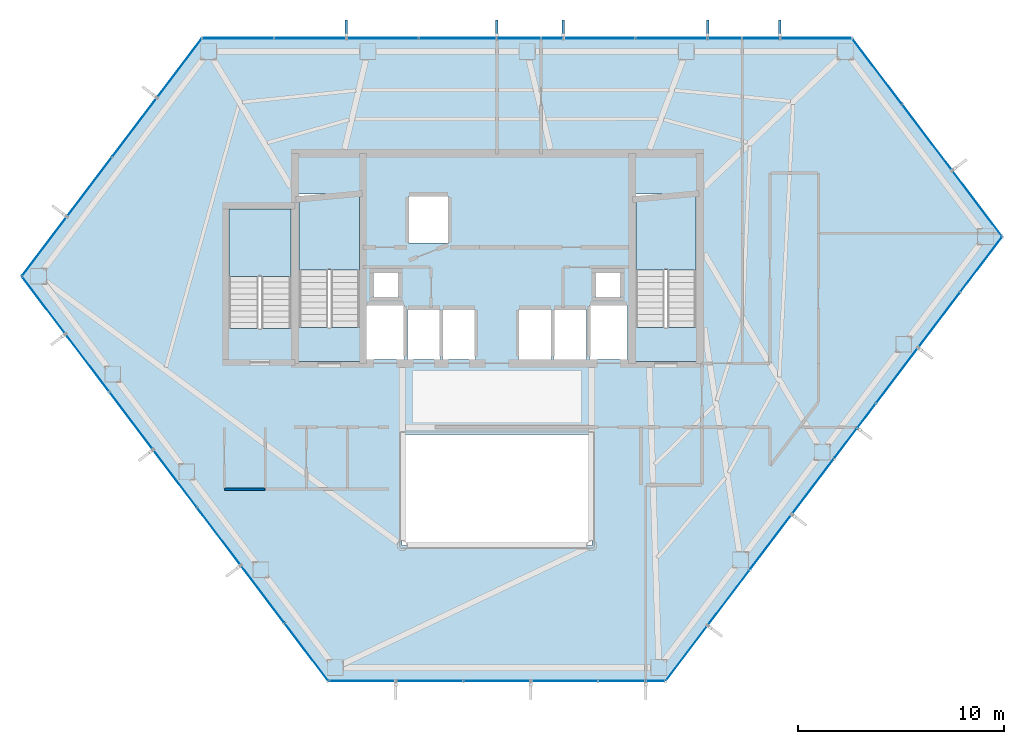
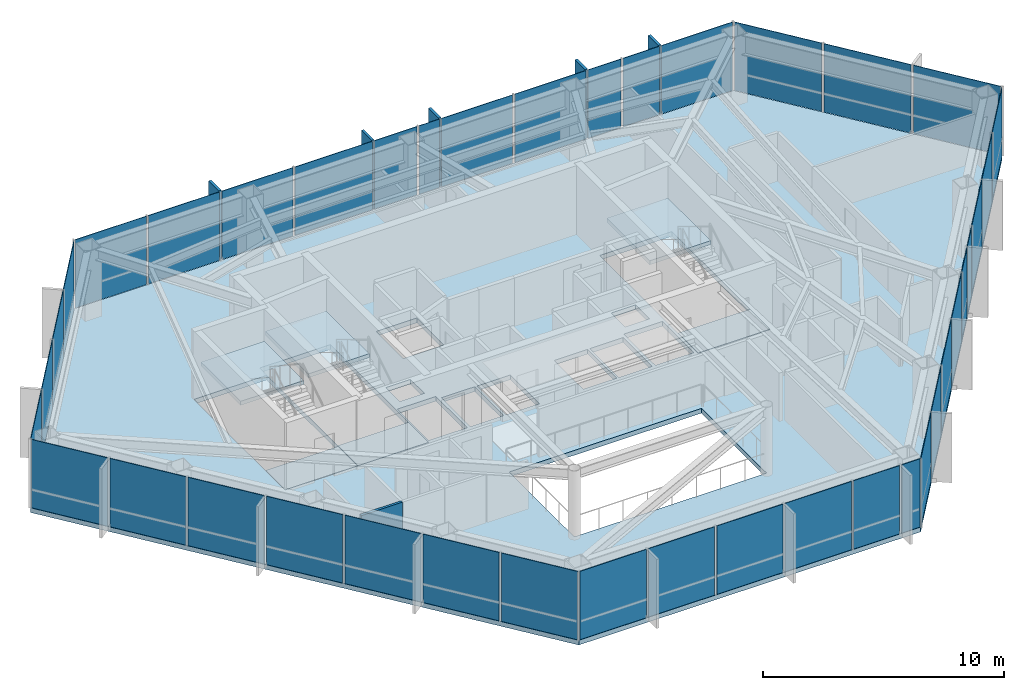
# One storey, part 24 of 28: 40 plates, 7 slabs, 5 members, 1 wall, 9 elements without a shape of their own.
"""IFC4 building model written with IfcOpenShell, lengths in metres."""

from ifc_helpers import new_model, si_unit, direction, frame, frame_2d, origin, origin_2d, place, context, subcontext, project, spatial, polyline, rectangle, outline, extrude, material, layer, layer_set, material_profile, profile_set, type_object, element, aggregate, save


model = new_model("IFC4")

# Units and contexts
model_context = context("Model", 3, precision=1e-05, world=origin(), true_north=direction((0.0, 1.0)))
body_context = subcontext(model_context, "Body", "Model", "MODEL_VIEW")
ifc_project = project(units=[si_unit("LENGTHUNIT", "METRE"), si_unit("AREAUNIT", "SQUARE_METRE"), si_unit("VOLUMEUNIT", "CUBIC_METRE"), si_unit("PLANEANGLEUNIT", "RADIAN"), si_unit("MASSUNIT", "GRAM", prefix="KILO")], contexts=[model_context])

# Site, building, storey
site_placement = place(None, origin())
site = spatial("IfcSite", under=ifc_project, at=site_placement, CompositionType="ELEMENT")
building_placement = place(site_placement, origin())
building = spatial("IfcBuilding", under=site, at=building_placement, Name="Zarrinselat Tower", CompositionType="ELEMENT")
storey_placement = place(building_placement, frame((0.0, 0.0, 149.60009765625)))
storey = spatial("IfcBuildingStorey", under=building, at=storey_placement, Name="L36", CompositionType="ELEMENT", Elevation=149.60009765625)

# Curtain wall, members, plates
ifc_material_1 = material(Name="Extruded Aluminium Alloy EN AW-6063 T6", Category="aluminium")
ifc_layer_1 = layer(ifc_material_1, 0.175048828125)
ifc_layer_set_1 = layer_set([ifc_layer_1], Name="Extruded Aluminium Alloy EN AW-6063 T6")
curtain_wall_type = type_object("IfcCurtainWallType", Name="CWS-HTL", PredefinedType="NOTDEFINED", material=ifc_layer_set_1)
curtain_wall_1_placement = place(storey_placement, origin())
curtain_wall_1 = element("IfcCurtainWall", 1, at=curtain_wall_1_placement, inside=storey, type_object=curtain_wall_type, Name="L36 Unitised Curtain Wall CW-L36-E01", PredefinedType="NOTDEFINED")
ifc_material_2 = material(Name="Honed Cream Travertine Stone", Category="masonry")
ifc_material_profile = material_profile(ifc_material_2, rectangle(XDim=0.1201171875, YDim=0.85009765625, at=origin_2d()), Name="FIN 850x120")
ifc_profile_set = profile_set([ifc_material_profile], Name="Honed Cream Travertine Stone")
member_type = type_object("IfcMemberType", Name="MEM-STONE-FIN", PredefinedType="USERDEFINED", material=ifc_profile_set)
member_1_placement = place(storey_placement, frame((52.126953125, 49.493408203125, 0.0), z_axis=(0.0, 0.0, 1.0), x_axis=(1.0, 0.0, 0.0)))
member_1 = element("IfcMember", 2, at=member_1_placement, type_object=member_type, Name="L36 Stone Shading Fin CW-L36-E01-01", ObjectType="FIN", PredefinedType="USERDEFINED", context=body_context, shape_type="SweptSolid", body=[
    extrude(rectangle(XDim=0.1201171875, YDim=0.85009765625, at=origin_2d()), origin(), (0.0, 0.0, 1.0), 3.5),
])
member_2_placement = place(storey_placement, frame((48.621337890625, 49.493408203125, 0.0), z_axis=(0.0, 0.0, 1.0), x_axis=(1.0, 0.0, 0.0)))
member_2 = element("IfcMember", 3, at=member_2_placement, type_object=member_type, Name="L36 Stone Shading Fin CW-L36-E01-03", ObjectType="FIN", PredefinedType="USERDEFINED", context=body_context, shape_type="SweptSolid", body=[
    extrude(rectangle(XDim=0.1201171875, YDim=0.85009765625, at=origin_2d()), origin(), (0.0, 0.0, 1.0), 3.5),
])
member_3_placement = place(storey_placement, frame((41.610107421875, 49.493408203125, 0.0), z_axis=(0.0, 0.0, 1.0), x_axis=(1.0, 0.0, 0.0)))
member_3 = element("IfcMember", 4, at=member_3_placement, type_object=member_type, Name="L36 Stone Shading Fin CW-L36-E01-05", ObjectType="FIN", PredefinedType="USERDEFINED", context=body_context, shape_type="SweptSolid", body=[
    extrude(rectangle(XDim=0.1201171875, YDim=0.85009765625, at=origin_2d()), origin(), (0.0, 0.0, 1.0), 3.5),
])
member_4_placement = place(storey_placement, frame((38.39990234375, 49.493408203125, 0.0), z_axis=(0.0, 0.0, 1.0), x_axis=(1.0, 0.0, 0.0)))
member_4 = element("IfcMember", 5, at=member_4_placement, type_object=member_type, Name="L36 Stone Shading Fin CW-L36-E01-07", ObjectType="FIN", PredefinedType="USERDEFINED", context=body_context, shape_type="SweptSolid", body=[
    extrude(rectangle(XDim=0.1201171875, YDim=0.85009765625, at=origin_2d()), origin(), (0.0, 0.0, 1.0), 3.5),
])
member_5_placement = place(storey_placement, frame((31.093017578125, 49.493408203125, 0.0), z_axis=(0.0, 0.0, 1.0), x_axis=(1.0, 0.0, 0.0)))
member_5 = element("IfcMember", 6, at=member_5_placement, type_object=member_type, Name="L36 Stone Shading Fin CW-L36-E01-09", ObjectType="FIN", PredefinedType="USERDEFINED", context=body_context, shape_type="SweptSolid", body=[
    extrude(rectangle(XDim=0.1201171875, YDim=0.85009765625, at=origin_2d()), origin(), (0.0, 0.0, 1.0), 3.5),
])
ifc_material_3 = material(Name="Double Low-E Laminated Solar Glass", Category="glass")
ifc_layer_2 = layer(ifc_material_3, 0.028076171875)
ifc_layer_set_2 = layer_set([ifc_layer_2], Name="Double Low-E Laminated Solar Glass")
plate_type = type_object("IfcPlateType", Name="PLT-CW-GL28", PredefinedType="CURTAIN_PANEL", material=ifc_layer_set_2)
plate_1_placement = place(storey_placement, frame((53.8798828125, 49.033203125, 0.02001953125), z_axis=(0.0, 0.0, 1.0), x_axis=(-1.0, 0.0, 0.0)))
plate_1 = element("IfcPlate", 7, at=plate_1_placement, type_object=plate_type, Name="CW-L36-E01 Vision Glass Panel 1", PredefinedType="CURTAIN_PANEL", context=body_context, shape_type="SweptSolid", body=[
    extrude(rectangle(XDim=3.40576171875, YDim=0.028076171875, at=origin_2d()), origin(), (0.0, 0.0, 1.0), 3.4599609375),
])
plate_2_placement = place(storey_placement, frame((51.21337890625, 49.033203125, 0.02001953125), z_axis=(0.0, 0.0, 1.0), x_axis=(-1.0, 0.0, 0.0)))
plate_2 = element("IfcPlate", 8, at=plate_2_placement, type_object=plate_type, Name="CW-L36-E01 Vision Glass Panel 2", PredefinedType="CURTAIN_PANEL", context=body_context, shape_type="SweptSolid", body=[
    extrude(rectangle(XDim=1.72705078125, YDim=0.028076171875, at=origin_2d()), origin(), (0.0, 0.0, 1.0), 3.4599609375),
])
plate_3_placement = place(storey_placement, frame((49.460693359375, 49.033203125, 0.02001953125), z_axis=(0.0, 0.0, 1.0), x_axis=(-1.0, 0.0, 0.0)))
plate_3 = element("IfcPlate", 9, at=plate_3_placement, type_object=plate_type, Name="CW-L36-E01 Vision Glass Panel 3", PredefinedType="CURTAIN_PANEL", context=body_context, shape_type="SweptSolid", body=[
    extrude(rectangle(XDim=1.57861328125, YDim=0.028076171875, at=origin_2d()), origin(), (0.0, 0.0, 1.0), 3.4599609375),
])
plate_4_placement = place(storey_placement, frame((46.86865234375, 49.033203125, 0.02001953125), z_axis=(0.0, 0.0, 1.0), x_axis=(-1.0, 0.0, 0.0)))
plate_4 = element("IfcPlate", 10, at=plate_4_placement, type_object=plate_type, Name="CW-L36-E01 Vision Glass Panel 4", PredefinedType="CURTAIN_PANEL", context=body_context, shape_type="SweptSolid", body=[
    extrude(rectangle(XDim=3.40576171875, YDim=0.028076171875, at=origin_2d()), origin(), (0.0, 0.0, 1.0), 3.4599609375),
])
plate_5_placement = place(storey_placement, frame((43.36279296875, 49.033203125, 0.02001953125), z_axis=(0.0, 0.0, 1.0), x_axis=(-1.0, 0.0, 0.0)))
plate_5 = element("IfcPlate", 11, at=plate_5_placement, type_object=plate_type, Name="CW-L36-E01 Vision Glass Panel 5", PredefinedType="CURTAIN_PANEL", context=body_context, shape_type="SweptSolid", body=[
    extrude(rectangle(XDim=3.40576171875, YDim=0.028076171875, at=origin_2d()), origin(), (0.0, 0.0, 1.0), 3.4599609375),
])
plate_6_placement = place(storey_placement, frame((41.075927734375, 49.033203125, 0.02001953125), z_axis=(0.0, 0.0, 1.0), x_axis=(-1.0, 0.0, 0.0)))
plate_6 = element("IfcPlate", 12, at=plate_6_placement, type_object=plate_type, Name="CW-L36-E01 Vision Glass Panel 6", PredefinedType="CURTAIN_PANEL", context=body_context, shape_type="SweptSolid", body=[
    extrude(rectangle(XDim=0.968017578125, YDim=0.028076171875, at=origin_2d()), origin(), (0.0, 0.0, 1.0), 3.4599609375),
])
plate_7_placement = place(storey_placement, frame((39.470947265625, 49.033203125, 0.02001953125), z_axis=(0.0, 0.0, 1.0), x_axis=(-1.0, 0.0, 0.0)))
plate_7 = element("IfcPlate", 13, at=plate_7_placement, type_object=plate_type, Name="CW-L36-E01 Vision Glass Panel 7", PredefinedType="CURTAIN_PANEL", context=body_context, shape_type="SweptSolid", body=[
    extrude(rectangle(XDim=2.0419921875, YDim=0.028076171875, at=origin_2d()), origin(), (0.0, 0.0, 1.0), 3.4599609375),
])
plate_8_placement = place(storey_placement, frame((36.49951171875, 49.033203125, 0.02001953125), z_axis=(0.0, 0.0, 1.0), x_axis=(-1.0, 0.0, 0.0)))
plate_8 = element("IfcPlate", 14, at=plate_8_placement, type_object=plate_type, Name="CW-L36-E01 Vision Glass Panel 8", PredefinedType="CURTAIN_PANEL", context=body_context, shape_type="SweptSolid", body=[
    extrude(rectangle(XDim=3.701171875, YDim=0.028076171875, at=origin_2d()), origin(), (0.0, 0.0, 1.0), 3.4599609375),
])
plate_9_placement = place(storey_placement, frame((32.845947265625, 49.033203125, 0.02001953125), z_axis=(0.0, 0.0, 1.0), x_axis=(-1.0, 0.0, 0.0)))
plate_9 = element("IfcPlate", 15, at=plate_9_placement, type_object=plate_type, Name="CW-L36-E01 Vision Glass Panel 9", PredefinedType="CURTAIN_PANEL", context=body_context, shape_type="SweptSolid", body=[
    extrude(rectangle(XDim=3.40576171875, YDim=0.028076171875, at=origin_2d()), origin(), (0.0, 0.0, 1.0), 3.4599609375),
])
plate_10_placement = place(storey_placement, frame((29.34033203125, 49.033203125, 0.02001953125), z_axis=(0.0, 0.0, 1.0), x_axis=(-1.0, 0.0, 0.0)))
plate_10 = element("IfcPlate", 16, at=plate_10_placement, type_object=plate_type, Name="CW-L36-E01 Vision Glass Panel 10", PredefinedType="CURTAIN_PANEL", context=body_context, shape_type="SweptSolid", body=[
    extrude(rectangle(XDim=3.40576171875, YDim=0.028076171875, at=origin_2d()), origin(), (0.0, 0.0, 1.0), 3.4599609375),
])
plate_11_placement = place(storey_placement, frame((25.834716796875, 49.033203125, 0.02001953125), z_axis=(0.0, 0.0, 1.0), x_axis=(-1.0, 0.0, 0.0)))
plate_11 = element("IfcPlate", 17, at=plate_11_placement, type_object=plate_type, Name="CW-L36-E01 Vision Glass Panel 11", PredefinedType="CURTAIN_PANEL", context=body_context, shape_type="SweptSolid", body=[
    extrude(rectangle(XDim=3.40576171875, YDim=0.028076171875, at=origin_2d()), origin(), (0.0, 0.0, 1.0), 3.4599609375),
])
aggregate(curtain_wall_1, [member_1, member_2, member_3, member_4, member_5, plate_1, plate_2, plate_3, plate_4, plate_5, plate_6, plate_7, plate_8, plate_9, plate_10, plate_11])

# Curtain wall, plates
curtain_wall_2_placement = place(storey_placement, origin())
curtain_wall_2 = element("IfcCurtainWall", 18, at=curtain_wall_2_placement, inside=storey, type_object=curtain_wall_type, Name="L36 Unitised Curtain Wall CW-L36-E02", PredefinedType="NOTDEFINED")
plate_12_placement = place(storey_placement, frame((22.988037109375, 47.589599609375, 0.02001953125), z_axis=(0.0, 0.0, 1.0), x_axis=(-0.603857687995, -0.797092148154, 0.0)))
plate_12 = element("IfcPlate", 19, at=plate_12_placement, type_object=plate_type, Name="CW-L36-E02 Vision Glass Panel 1", PredefinedType="CURTAIN_PANEL", context=body_context, shape_type="SweptSolid", body=[
    extrude(rectangle(XDim=3.5224609375, YDim=0.028076171875, at=origin_2d()), origin(), (0.0, 0.0, 1.0), 3.4599609375),
])
plate_13_placement = place(storey_placement, frame((20.800537109375, 44.701904296875, 0.02001953125), z_axis=(0.0, 0.0, 1.0), x_axis=(-0.603857687995, -0.797092148154, 0.0)))
plate_13 = element("IfcPlate", 20, at=plate_13_placement, type_object=plate_type, Name="CW-L36-E02 Vision Glass Panel 2", PredefinedType="CURTAIN_PANEL", context=body_context, shape_type="SweptSolid", body=[
    extrude(rectangle(XDim=3.5224609375, YDim=0.028076171875, at=origin_2d()), origin(), (0.0, 0.0, 1.0), 3.4599609375),
])
plate_14_placement = place(storey_placement, frame((18.613037109375, 41.814453125, 0.02001953125), z_axis=(0.0, 0.0, 1.0), x_axis=(-0.603857687995, -0.797092148154, 0.0)))
plate_14 = element("IfcPlate", 21, at=plate_14_placement, type_object=plate_type, Name="CW-L36-E02 Vision Glass Panel 3", PredefinedType="CURTAIN_PANEL", context=body_context, shape_type="SweptSolid", body=[
    extrude(rectangle(XDim=3.5224609375, YDim=0.028076171875, at=origin_2d()), origin(), (0.0, 0.0, 1.0), 3.4599609375),
])
plate_15_placement = place(storey_placement, frame((16.425537109375, 38.927001953125, 0.02001953125), z_axis=(0.0, 0.0, 1.0), x_axis=(-0.603857687995, -0.797092148154, 0.0)))
plate_15 = element("IfcPlate", 22, at=plate_15_placement, type_object=plate_type, Name="CW-L36-E02 Vision Glass Panel 4", PredefinedType="CURTAIN_PANEL", context=body_context, shape_type="SweptSolid", body=[
    extrude(rectangle(XDim=3.5224609375, YDim=0.028076171875, at=origin_2d()), origin(), (0.0, 0.0, 1.0), 3.4599609375),
])
aggregate(curtain_wall_2, [plate_12, plate_13, plate_14, plate_15])

curtain_wall_3_placement = place(storey_placement, origin())
curtain_wall_3 = element("IfcCurtainWall", 23, at=curtain_wall_3_placement, inside=storey, type_object=curtain_wall_type, Name="L36 Unitised Curtain Wall CW-L36-E03", PredefinedType="NOTDEFINED")
plate_16_placement = place(storey_placement, frame((16.395263671875, 36.07958984375, 0.02001953125), z_axis=(0.0, 0.0, 1.0), x_axis=(0.603856985167, -0.7970926806, 0.0)))
plate_16 = element("IfcPlate", 24, at=plate_16_placement, type_object=plate_type, Name="CW-L36-E03 Vision Glass Panel 1", PredefinedType="CURTAIN_PANEL", context=body_context, shape_type="SweptSolid", body=[
    extrude(rectangle(XDim=3.422119140625, YDim=0.028076171875, at=origin_2d()), origin(), (0.0, 0.0, 1.0), 3.4599609375),
])
plate_17_placement = place(storey_placement, frame((18.52197265625, 33.272216796875, 0.02001953125), z_axis=(0.0, 0.0, 1.0), x_axis=(0.603856985167, -0.7970926806, 0.0)))
plate_17 = element("IfcPlate", 25, at=plate_17_placement, type_object=plate_type, Name="CW-L36-E03 Vision Glass Panel 2", PredefinedType="CURTAIN_PANEL", context=body_context, shape_type="SweptSolid", body=[
    extrude(rectangle(XDim=3.422119140625, YDim=0.028076171875, at=origin_2d()), origin(), (0.0, 0.0, 1.0), 3.4599609375),
])
plate_18_placement = place(storey_placement, frame((20.648681640625, 30.46484375, 0.02001953125), z_axis=(0.0, 0.0, 1.0), x_axis=(0.603856985167, -0.7970926806, 0.0)))
plate_18 = element("IfcPlate", 26, at=plate_18_placement, type_object=plate_type, Name="CW-L36-E03 Vision Glass Panel 3", PredefinedType="CURTAIN_PANEL", context=body_context, shape_type="SweptSolid", body=[
    extrude(rectangle(XDim=3.422119140625, YDim=0.028076171875, at=origin_2d()), origin(), (0.0, 0.0, 1.0), 3.4599609375),
])
plate_19_placement = place(storey_placement, frame((22.775634765625, 27.657470703125, 0.02001953125), z_axis=(0.0, 0.0, 1.0), x_axis=(0.603856985167, -0.7970926806, 0.0)))
plate_19 = element("IfcPlate", 27, at=plate_19_placement, type_object=plate_type, Name="CW-L36-E03 Vision Glass Panel 4", PredefinedType="CURTAIN_PANEL", context=body_context, shape_type="SweptSolid", body=[
    extrude(rectangle(XDim=3.422119140625, YDim=0.028076171875, at=origin_2d()), origin(), (0.0, 0.0, 1.0), 3.4599609375),
])
plate_20_placement = place(storey_placement, frame((24.902587890625, 24.85009765625, 0.02001953125), z_axis=(0.0, 0.0, 1.0), x_axis=(0.603856985167, -0.7970926806, 0.0)))
plate_20 = element("IfcPlate", 28, at=plate_20_placement, type_object=plate_type, Name="CW-L36-E03 Vision Glass Panel 5", PredefinedType="CURTAIN_PANEL", context=body_context, shape_type="SweptSolid", body=[
    extrude(rectangle(XDim=3.422119140625, YDim=0.028076171875, at=origin_2d()), origin(), (0.0, 0.0, 1.0), 3.4599609375),
])
plate_21_placement = place(storey_placement, frame((27.029296875, 22.04248046875, 0.02001953125), z_axis=(0.0, 0.0, 1.0), x_axis=(0.603856985167, -0.7970926806, 0.0)))
plate_21 = element("IfcPlate", 29, at=plate_21_placement, type_object=plate_type, Name="CW-L36-E03 Vision Glass Panel 6", PredefinedType="CURTAIN_PANEL", context=body_context, shape_type="SweptSolid", body=[
    extrude(rectangle(XDim=3.422119140625, YDim=0.028076171875, at=origin_2d()), origin(), (0.0, 0.0, 1.0), 3.4599609375),
])
plate_22_placement = place(storey_placement, frame((29.156005859375, 19.235107421875, 0.02001953125), z_axis=(0.0, 0.0, 1.0), x_axis=(0.603856985167, -0.7970926806, 0.0)))
plate_22 = element("IfcPlate", 30, at=plate_22_placement, type_object=plate_type, Name="CW-L36-E03 Vision Glass Panel 7", PredefinedType="CURTAIN_PANEL", context=body_context, shape_type="SweptSolid", body=[
    extrude(rectangle(XDim=3.422119140625, YDim=0.028076171875, at=origin_2d()), origin(), (0.0, 0.0, 1.0), 3.4599609375),
])
aggregate(curtain_wall_3, [plate_16, plate_17, plate_18, plate_19, plate_20, plate_21, plate_22])

curtain_wall_4_placement = place(storey_placement, origin())
curtain_wall_4 = element("IfcCurtainWall", 31, at=curtain_wall_4_placement, inside=storey, type_object=curtain_wall_type, Name="L36 Unitised Curtain Wall CW-L36-E04", PredefinedType="NOTDEFINED")
plate_23_placement = place(storey_placement, frame((31.855712890625, 17.83154296875, 0.02001953125), z_axis=(0.0, 0.0, 1.0), x_axis=(1.0, 0.0, 0.0)))
plate_23 = element("IfcPlate", 32, at=plate_23_placement, type_object=plate_type, Name="CW-L36-E04 Vision Glass Panel 1", PredefinedType="CURTAIN_PANEL", context=body_context, shape_type="SweptSolid", body=[
    extrude(rectangle(XDim=3.172119140625, YDim=0.028076171875, at=origin_2d()), origin(), (0.0, 0.0, 1.0), 3.4599609375),
])
plate_24_placement = place(storey_placement, frame((35.127685546875, 17.83154296875, 0.02001953125), z_axis=(0.0, 0.0, 1.0), x_axis=(1.0, 0.0, 0.0)))
plate_24 = element("IfcPlate", 33, at=plate_24_placement, type_object=plate_type, Name="CW-L36-E04 Vision Glass Panel 2", PredefinedType="CURTAIN_PANEL", context=body_context, shape_type="SweptSolid", body=[
    extrude(rectangle(XDim=3.172119140625, YDim=0.028076171875, at=origin_2d()), origin(), (0.0, 0.0, 1.0), 3.4599609375),
])
plate_25_placement = place(storey_placement, frame((38.39990234375, 17.83154296875, 0.02001953125), z_axis=(0.0, 0.0, 1.0), x_axis=(1.0, 0.0, 0.0)))
plate_25 = element("IfcPlate", 34, at=plate_25_placement, type_object=plate_type, Name="CW-L36-E04 Vision Glass Panel 3", PredefinedType="CURTAIN_PANEL", context=body_context, shape_type="SweptSolid", body=[
    extrude(rectangle(XDim=3.172119140625, YDim=0.028076171875, at=origin_2d()), origin(), (0.0, 0.0, 1.0), 3.4599609375),
])
plate_26_placement = place(storey_placement, frame((41.672119140625, 17.83154296875, 0.02001953125), z_axis=(0.0, 0.0, 1.0), x_axis=(1.0, 0.0, 0.0)))
plate_26 = element("IfcPlate", 35, at=plate_26_placement, type_object=plate_type, Name="CW-L36-E04 Vision Glass Panel 4", PredefinedType="CURTAIN_PANEL", context=body_context, shape_type="SweptSolid", body=[
    extrude(rectangle(XDim=3.172119140625, YDim=0.028076171875, at=origin_2d()), origin(), (0.0, 0.0, 1.0), 3.4599609375),
])
plate_27_placement = place(storey_placement, frame((44.46337890625, 17.83154296875, 0.02001953125), z_axis=(0.0, 0.0, 1.0), x_axis=(1.0, 0.0, 0.0)))
plate_27 = element("IfcPlate", 36, at=plate_27_placement, type_object=plate_type, Name="CW-L36-E04 Vision Glass Panel 5", PredefinedType="CURTAIN_PANEL", context=body_context, shape_type="SweptSolid", body=[
    extrude(rectangle(XDim=2.21044921875, YDim=0.028076171875, at=origin_2d()), origin(), (0.0, 0.0, 1.0), 3.4599609375),
])
plate_28_placement = place(storey_placement, frame((46.099609375, 17.83154296875, 0.02001953125), z_axis=(0.0, 0.0, 1.0), x_axis=(1.0, 0.0, 0.0)))
plate_28 = element("IfcPlate", 37, at=plate_28_placement, type_object=plate_type, Name="CW-L36-E04 Vision Glass Panel 6", PredefinedType="CURTAIN_PANEL", context=body_context, shape_type="SweptSolid", body=[
    extrude(rectangle(XDim=0.86181640625, YDim=0.028076171875, at=origin_2d()), origin(), (0.0, 0.0, 1.0), 3.4599609375),
])
aggregate(curtain_wall_4, [plate_23, plate_24, plate_25, plate_26, plate_27, plate_28])

curtain_wall_5_placement = place(storey_placement, origin())
curtain_wall_5 = element("IfcCurtainWall", 38, at=curtain_wall_5_placement, inside=storey, type_object=curtain_wall_type, Name="L36 Unitised Curtain Wall CW-L36-E05", PredefinedType="NOTDEFINED")
plate_29_placement = place(storey_placement, frame((47.60205078125, 19.179931640625, 0.02001953125), z_axis=(0.0, 0.0, 1.0), x_axis=(0.603857687995, 0.797092148154, 0.0)))
plate_29 = element("IfcPlate", 39, at=plate_29_placement, type_object=plate_type, Name="CW-L36-E05 Vision Glass Panel 1", PredefinedType="CURTAIN_PANEL", context=body_context, shape_type="SweptSolid", body=[
    extrude(rectangle(XDim=3.283447265625, YDim=0.028076171875, at=origin_2d()), origin(), (0.0, 0.0, 1.0), 3.4599609375),
])
plate_30_placement = place(storey_placement, frame((49.645263671875, 21.876953125, 0.02001953125), z_axis=(0.0, 0.0, 1.0), x_axis=(0.603857687995, 0.797092148154, 0.0)))
plate_30 = element("IfcPlate", 40, at=plate_30_placement, type_object=plate_type, Name="CW-L36-E05 Vision Glass Panel 2", PredefinedType="CURTAIN_PANEL", context=body_context, shape_type="SweptSolid", body=[
    extrude(rectangle(XDim=3.283447265625, YDim=0.028076171875, at=origin_2d()), origin(), (0.0, 0.0, 1.0), 3.4599609375),
])
plate_31_placement = place(storey_placement, frame((51.688232421875, 24.57373046875, 0.02001953125), z_axis=(0.0, 0.0, 1.0), x_axis=(0.603857687995, 0.797092148154, 0.0)))
plate_31 = element("IfcPlate", 41, at=plate_31_placement, type_object=plate_type, Name="CW-L36-E05 Vision Glass Panel 3", PredefinedType="CURTAIN_PANEL", context=body_context, shape_type="SweptSolid", body=[
    extrude(rectangle(XDim=3.283447265625, YDim=0.028076171875, at=origin_2d()), origin(), (0.0, 0.0, 1.0), 3.4599609375),
])
plate_32_placement = place(storey_placement, frame((53.7314453125, 27.270751953125, 0.02001953125), z_axis=(0.0, 0.0, 1.0), x_axis=(0.603857687995, 0.797092148154, 0.0)))
plate_32 = element("IfcPlate", 42, at=plate_32_placement, type_object=plate_type, Name="CW-L36-E05 Vision Glass Panel 4", PredefinedType="CURTAIN_PANEL", context=body_context, shape_type="SweptSolid", body=[
    extrude(rectangle(XDim=3.283447265625, YDim=0.028076171875, at=origin_2d()), origin(), (0.0, 0.0, 1.0), 3.4599609375),
])
plate_33_placement = place(storey_placement, frame((55.319091796875, 29.366455078125, 0.02001953125), z_axis=(0.0, 0.0, 1.0), x_axis=(0.603857687995, 0.797092148154, 0.0)))
plate_33 = element("IfcPlate", 43, at=plate_33_placement, type_object=plate_type, Name="CW-L36-E05 Vision Glass Panel 5", PredefinedType="CURTAIN_PANEL", context=body_context, shape_type="SweptSolid", body=[
    extrude(rectangle(XDim=1.77490234375, YDim=0.028076171875, at=origin_2d()), origin(), (0.0, 0.0, 1.0), 3.4599609375),
])
plate_34_placement = place(storey_placement, frame((56.3408203125, 30.71484375, 0.02001953125), z_axis=(0.0, 0.0, 1.0), x_axis=(0.603857687995, 0.797092148154, 0.0)))
plate_34 = element("IfcPlate", 44, at=plate_34_placement, type_object=plate_type, Name="CW-L36-E05 Vision Glass Panel 6", PredefinedType="CURTAIN_PANEL", context=body_context, shape_type="SweptSolid", body=[
    extrude(rectangle(XDim=1.408447265625, YDim=0.028076171875, at=origin_2d()), origin(), (0.0, 0.0, 1.0), 3.4599609375),
])
plate_35_placement = place(storey_placement, frame((57.817626953125, 32.66455078125, 0.02001953125), z_axis=(0.0, 0.0, 1.0), x_axis=(0.603857687995, 0.797092148154, 0.0)))
plate_35 = element("IfcPlate", 45, at=plate_35_placement, type_object=plate_type, Name="CW-L36-E05 Vision Glass Panel 7", PredefinedType="CURTAIN_PANEL", context=body_context, shape_type="SweptSolid", body=[
    extrude(rectangle(XDim=3.283447265625, YDim=0.028076171875, at=origin_2d()), origin(), (0.0, 0.0, 1.0), 3.4599609375),
])
plate_36_placement = place(storey_placement, frame((59.86083984375, 35.361572265625, 0.02001953125), z_axis=(0.0, 0.0, 1.0), x_axis=(0.603857687995, 0.797092148154, 0.0)))
plate_36 = element("IfcPlate", 46, at=plate_36_placement, type_object=plate_type, Name="CW-L36-E05 Vision Glass Panel 8", PredefinedType="CURTAIN_PANEL", context=body_context, shape_type="SweptSolid", body=[
    extrude(rectangle(XDim=3.283447265625, YDim=0.028076171875, at=origin_2d()), origin(), (0.0, 0.0, 1.0), 3.4599609375),
])
plate_37_placement = place(storey_placement, frame((61.90380859375, 38.058349609375, 0.02001953125), z_axis=(0.0, 0.0, 1.0), x_axis=(0.603857687995, 0.797092148154, 0.0)))
plate_37 = element("IfcPlate", 47, at=plate_37_placement, type_object=plate_type, Name="CW-L36-E05 Vision Glass Panel 9", PredefinedType="CURTAIN_PANEL", context=body_context, shape_type="SweptSolid", body=[
    extrude(rectangle(XDim=3.283447265625, YDim=0.028076171875, at=origin_2d()), origin(), (0.0, 0.0, 1.0), 3.4599609375),
])
aggregate(curtain_wall_5, [plate_29, plate_30, plate_31, plate_32, plate_33, plate_34, plate_35, plate_36, plate_37])

curtain_wall_6_placement = place(storey_placement, origin())
curtain_wall_6 = element("IfcCurtainWall", 48, at=curtain_wall_6_placement, inside=storey, type_object=curtain_wall_type, Name="L36 Unitised Curtain Wall CW-L36-E06", PredefinedType="NOTDEFINED")
plate_38_placement = place(storey_placement, frame((61.7099609375, 41.01123046875, 0.02001953125), z_axis=(0.0, 0.0, 1.0), x_axis=(-0.603861514104, 0.797089249573, 0.0)))
plate_38 = element("IfcPlate", 49, at=plate_38_placement, type_object=plate_type, Name="CW-L36-E06 Vision Glass Panel 1", PredefinedType="CURTAIN_PANEL", context=body_context, shape_type="SweptSolid", body=[
    extrude(rectangle(XDim=3.925537109375, YDim=0.028076171875, at=origin_2d()), origin(), (0.0, 0.0, 1.0), 3.4599609375),
])
plate_39_placement = place(storey_placement, frame((59.279052734375, 44.22021484375, 0.02001953125), z_axis=(0.0, 0.0, 1.0), x_axis=(-0.603861514104, 0.797089249573, 0.0)))
plate_39 = element("IfcPlate", 50, at=plate_39_placement, type_object=plate_type, Name="CW-L36-E06 Vision Glass Panel 2", PredefinedType="CURTAIN_PANEL", context=body_context, shape_type="SweptSolid", body=[
    extrude(rectangle(XDim=3.925537109375, YDim=0.028076171875, at=origin_2d()), origin(), (0.0, 0.0, 1.0), 3.4599609375),
])
plate_40_placement = place(storey_placement, frame((56.84814453125, 47.428955078125, 0.02001953125), z_axis=(0.0, 0.0, 1.0), x_axis=(-0.603861514104, 0.797089249573, 0.0)))
plate_40 = element("IfcPlate", 51, at=plate_40_placement, type_object=plate_type, Name="CW-L36-E06 Vision Glass Panel 3", PredefinedType="CURTAIN_PANEL", context=body_context, shape_type="SweptSolid", body=[
    extrude(rectangle(XDim=3.925537109375, YDim=0.028076171875, at=origin_2d()), origin(), (0.0, 0.0, 1.0), 3.4599609375),
])
aggregate(curtain_wall_6, [plate_38, plate_39, plate_40])

# Slabs
ifc_material_4 = material(Name="Concrete C40/50", Category="concrete")
ifc_layer_3 = layer(ifc_material_4, 0.239990234375)
ifc_layer_set_3 = layer_set([ifc_layer_3], Name="Concrete C40/50")
slab_type_1 = type_object("IfcSlabType", Name="SLB-FLOOR-240-SL-HT240", PredefinedType="FLOOR", material=ifc_layer_set_3)
slab_1_placement = place(storey_placement, frame((0.0, 0.0, -0.239990234375)))
element("IfcSlab", 52, at=slab_1_placement, inside=storey, type_object=slab_type_1, Name="L36 Primary Structural Slab", PredefinedType="FLOOR", context=body_context, shape_type="SweptSolid", body=[
    extrude(outline(polyline([(55.6328125, 49.033203125), (24.081787109375, 49.033203125), (15.331787109375, 37.4833984375), (30.219482421875, 17.83154296875), (46.58056640625, 17.83154296875), (62.925537109375, 39.406982421875), (55.6328125, 49.033203125)]), holes=[polyline([(35.64990234375, 33.449951171875), (34.050048828125, 33.449951171875), (34.050048828125, 35.85009765625), (35.64990234375, 35.85009765625), (35.64990234375, 33.449951171875)]), polyline([(35.75, 33.449951171875), (35.75, 35.85009765625), (37.35009765625, 35.85009765625), (37.35009765625, 33.449951171875), (35.75, 33.449951171875)]), polyline([(32.06005859375, 33.449951171875), (32.06005859375, 36.050048828125), (33.89990234375, 36.050048828125), (33.89990234375, 33.449951171875), (32.06005859375, 33.449951171875)]), polyline([(33.60009765625, 36.47998046875), (32.419921875, 36.47998046875), (32.419921875, 37.639892578125), (33.60009765625, 37.639892578125), (33.60009765625, 36.47998046875)]), polyline([(28.594970703125, 33.324951171875), (25.114990234375, 33.324951171875), (25.114990234375, 40.875), (28.594970703125, 40.875), (28.594970703125, 33.324951171875)]), polyline([(31.985107421875, 33.324951171875), (28.60498046875, 33.324951171875), (28.60498046875, 41.47509765625), (31.985107421875, 41.47509765625), (31.985107421875, 33.324951171875)]), polyline([(36.050048828125, 39.10009765625), (34.10009765625, 39.10009765625), (34.10009765625, 41.35009765625), (36.050048828125, 41.35009765625), (36.050048828125, 39.10009765625)]), polyline([(33.800048828125, 24.39990234375), (33.800048828125, 29.800048828125), (43.0, 29.800048828125), (43.0, 24.39990234375), (33.800048828125, 24.39990234375)]), polyline([(39.449951171875, 33.449951171875), (39.449951171875, 35.85009765625), (41.050048828125, 35.85009765625), (41.050048828125, 33.449951171875), (39.449951171875, 33.449951171875)]), polyline([(41.14990234375, 33.449951171875), (41.14990234375, 35.85009765625), (42.75, 35.85009765625), (42.75, 33.449951171875), (41.14990234375, 33.449951171875)]), polyline([(42.89990234375, 33.449951171875), (42.89990234375, 36.050048828125), (44.739990234375, 36.050048828125), (44.739990234375, 33.449951171875), (42.89990234375, 33.449951171875)]), polyline([(43.199951171875, 36.47998046875), (43.199951171875, 37.639892578125), (44.3798828125, 37.639892578125), (44.3798828125, 36.47998046875), (43.199951171875, 36.47998046875)]), polyline([(48.324951171875, 33.324951171875), (44.875, 33.324951171875), (44.875, 41.47509765625), (48.324951171875, 41.47509765625), (48.324951171875, 33.324951171875)])]), origin(), (0.0, 0.0, 1.0), 0.239990234375),
])
slab_2_placement = place(storey_placement, frame((0.0, 0.0, -0.239990234375)))
element("IfcSlab", 53, at=slab_2_placement, inside=storey, type_object=slab_type_1, Name="L36 Stair ST-1-FL1 Structural Floor Landing", PredefinedType="FLOOR", context=body_context, shape_type="SweptSolid", body=[
    extrude(outline(polyline([(31.97998046875, 33.330078125), (31.97998046875, 35.0), (28.610107421875, 35.0), (28.610107421875, 33.330078125), (31.97998046875, 33.330078125)])), origin(), (0.0, 0.0, 1.0), 0.239990234375),
])
slab_3_placement = place(storey_placement, frame((0.0, 0.0, -0.239990234375)))
element("IfcSlab", 54, at=slab_3_placement, inside=storey, type_object=slab_type_1, Name="L36 Stair ST-2-FL1 Structural Floor Landing", PredefinedType="FLOOR", context=body_context, shape_type="SweptSolid", body=[
    extrude(outline(polyline([(48.320068359375, 33.330078125), (48.320068359375, 35.0), (44.8798828125, 35.0), (44.8798828125, 33.330078125), (48.320068359375, 33.330078125)])), origin(), (0.0, 0.0, 1.0), 0.239990234375),
])
slab_4_placement = place(storey_placement, frame((0.0, 0.0, -0.239990234375)))
element("IfcSlab", 55, at=slab_4_placement, inside=storey, type_object=slab_type_1, Name="L36 Stair ST-3-FL1 Structural Floor Landing", PredefinedType="FLOOR", context=body_context, shape_type="SweptSolid", body=[
    extrude(outline(polyline([(28.590087890625, 33.330078125), (28.590087890625, 34.949951171875), (25.1201171875, 34.949951171875), (25.1201171875, 33.330078125), (28.590087890625, 33.330078125)])), origin(), (0.0, 0.0, 1.0), 0.239990234375),
])

# Stair, slab
ifc_material_5 = material(Name="Concrete C40/50", Category="concrete")
stair_type_1 = type_object("IfcStairType", Name="STR-CORE-145", PredefinedType="HALF_TURN_STAIR", material=ifc_material_5)
stair_1_placement = place(storey_placement, origin())
stair_1 = element("IfcStair", 56, at=stair_1_placement, inside=storey, type_object=stair_type_1, Name="L36 Podium & Mid-Tower Exit Stair 3", PredefinedType="HALF_TURN_STAIR")
ifc_material_6 = material(Name="Concrete C40/50", Category="concrete")
ifc_layer_4 = layer(ifc_material_6, 0.1650390625)
ifc_layer_set_4 = layer_set([ifc_layer_4], Name="Concrete C40/50")
slab_type_2 = type_object("IfcSlabType", Name="SLB-LND-165", PredefinedType="LANDING", material=ifc_layer_set_4)
slab_5_placement = place(storey_placement, frame((0.0, 0.0, 1.669921875)))
slab_5 = element("IfcSlab", 57, at=slab_5_placement, type_object=slab_type_2, Name="ST-3 landing 1", PredefinedType="LANDING", context=body_context, shape_type="SweptSolid", body=[
    extrude(outline(polyline([(28.39990234375, 37.469970703125), (28.39990234375, 40.75), (25.3798828125, 40.75), (25.3798828125, 37.469970703125), (28.39990234375, 37.469970703125)])), origin(), (0.0, 0.0, 1.0), 0.199951171875),
])
aggregate(stair_1, [slab_5])

ifc_material_7 = material(Name="Concrete C40/50", Category="concrete")
stair_type_2 = type_object("IfcStairType", Name="STR-CORE-155", PredefinedType="HALF_TURN_STAIR", material=ifc_material_7)
stair_2_placement = place(storey_placement, origin())
stair_2 = element("IfcStair", 58, at=stair_2_placement, inside=storey, type_object=stair_type_2, Name="L36 Core Exit Stair 1", PredefinedType="HALF_TURN_STAIR")
ifc_material_8 = material(Name="Concrete C40/50", Category="concrete")
ifc_layer_5 = layer(ifc_material_8, 0.18994140625)
ifc_layer_set_5 = layer_set([ifc_layer_5], Name="Concrete C40/50")
slab_type_3 = type_object("IfcSlabType", Name="SLB-LND-190", PredefinedType="LANDING", material=ifc_layer_set_5)
slab_6_placement = place(storey_placement, frame((0.0, 0.0, 1.669921875)))
slab_6 = element("IfcSlab", 59, at=slab_6_placement, type_object=slab_type_3, Name="ST-1 landing 1", PredefinedType="LANDING", context=body_context, shape_type="SweptSolid", body=[
    extrude(outline(polyline([(31.719970703125, 37.7900390625), (31.719970703125, 41.35009765625), (28.800048828125, 41.35009765625), (28.800048828125, 37.7900390625), (31.719970703125, 37.7900390625)])), origin(), (0.0, 0.0, 1.0), 0.199951171875),
])
aggregate(stair_2, [slab_6])

stair_3_placement = place(storey_placement, origin())
stair_3 = element("IfcStair", 60, at=stair_3_placement, inside=storey, type_object=stair_type_2, Name="L36 Core Exit Stair 2", PredefinedType="HALF_TURN_STAIR")
slab_7_placement = place(storey_placement, frame((0.0, 0.0, 1.669921875)))
slab_7 = element("IfcSlab", 61, at=slab_7_placement, type_object=slab_type_3, Name="ST-2 landing 1", PredefinedType="LANDING", context=body_context, shape_type="SweptSolid", body=[
    extrude(outline(polyline([(48.06005859375, 37.7900390625), (48.06005859375, 41.35009765625), (45.139892578125, 41.35009765625), (45.139892578125, 37.7900390625), (48.06005859375, 37.7900390625)])), origin(), (0.0, 0.0, 1.0), 0.199951171875),
])
aggregate(stair_3, [slab_7])

# Wall
ifc_material_9 = material(Name="Fire-Rated Gypsum Board Partition", Category="gypsum")
ifc_layer_6 = layer(ifc_material_9, 0.1201171875)
ifc_layer_set_6 = layer_set([ifc_layer_6], Name="Fire-Rated Gypsum Board Partition")
wall_type = type_object("IfcWallType", Name="WAL-PART-STD", PredefinedType="PARTITIONING", material=ifc_layer_set_6)
wall_placement = place(storey_placement, frame((25.169921875, 27.14990234375, 0.0), z_axis=(0.0, 0.0, 1.0), x_axis=(1.0, 0.0, 0.0)))
element("IfcWall", 62, at=wall_placement, inside=storey, type_object=wall_type, Name="L36 Partition Wall 30", PredefinedType="PARTITIONING", context=body_context, shape_type="SweptSolid", body=[
    extrude(rectangle(XDim=1.9599609375, YDim=0.1201171875, at=frame_2d((0.97998046875, 0.0))), origin(), (0.0, 0.0, 1.0), 2.456787109375),
])

save(model, "model.ifc")
